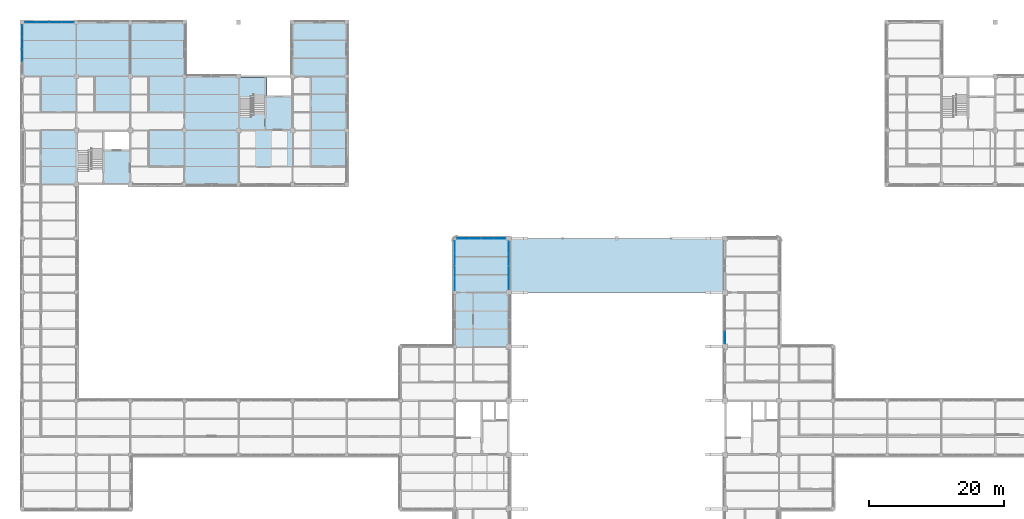
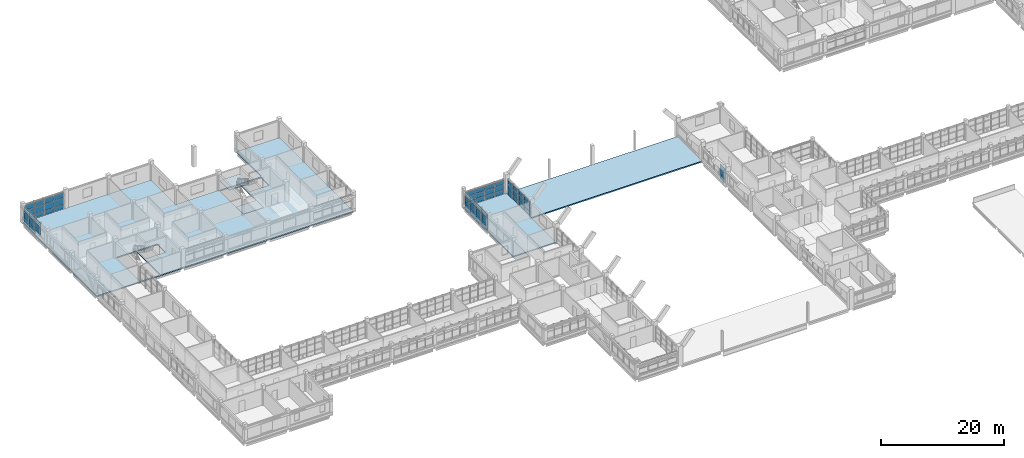
# One storey, part 55 of 92: 59 plates, 5 slabs, 7 elements without a shape of their own.
"""IFC4 building model written with IfcOpenShell, lengths in metres."""

from ifc_helpers import new_model, si_unit, derived_unit, direction, frame, origin, origin_2d, place, context, subcontext, project, spatial, polyline, rectangle, outline, extrude, material, layer, layer_set, type_object, element, aggregate, save


model = new_model("IFC4")

# Units and contexts
model_context = context("Model", 3, precision=1e-05, world=origin(), true_north=direction((0.0, 1.0)))
body_context = subcontext(model_context, "Body", "Model", "MODEL_VIEW")
ifc_project = project(units=[si_unit("LENGTHUNIT", "METRE"), si_unit("AREAUNIT", "SQUARE_METRE"), si_unit("VOLUMEUNIT", "CUBIC_METRE"), si_unit("PLANEANGLEUNIT", "RADIAN"), si_unit("MASSUNIT", "GRAM", prefix="KILO"), derived_unit("THERMALTRANSMITTANCEUNIT", [(si_unit("MASSUNIT", "GRAM", prefix="KILO"), 1), (si_unit("TIMEUNIT", "SECOND"), -3), (si_unit("THERMODYNAMICTEMPERATUREUNIT", "KELVIN"), -1)])], contexts=[model_context])

# Site, building, storey
site_placement = place(None, origin())
site = spatial("IfcSite", under=ifc_project, at=site_placement, CompositionType="ELEMENT")
building_placement = place(site_placement, origin())
building = spatial("IfcBuilding", under=site, at=building_placement, Name="Veyamyaing Civic Hall", CompositionType="ELEMENT")
storey_placement = place(building_placement, frame((0.0, 0.0, 17.820068359375)))
storey = spatial("IfcBuildingStorey", under=building, at=storey_placement, Name="L04", CompositionType="ELEMENT", Elevation=17.820068359375)

# Curtain wall, plates
ifc_material_1 = material(Name="Anodised aluminium 6063-T6", Category="aluminium")
ifc_layer_1 = layer(ifc_material_1, 0.159912109375, Name="Anodised aluminium 6063-T6")
ifc_layer_set_1 = layer_set([ifc_layer_1], Name="Anodised aluminium 6063-T6")
curtain_wall_type = type_object("IfcCurtainWallType", Name="CW-08", PredefinedType="NOTDEFINED", material=ifc_layer_set_1)
curtain_wall_1_placement = place(storey_placement, origin())
curtain_wall_1 = element("IfcCurtainWall", 1, at=curtain_wall_1_placement, inside=storey, type_object=curtain_wall_type, Name="Unitized curtain wall CW-08 L04 N 1.14", PredefinedType="NOTDEFINED")
ifc_material_2 = material(Name="Low-E insulated glass", Category="glass")
ifc_layer_2 = layer(ifc_material_2, 0.028076171875, Name="Low-E insulated glass")
ifc_layer_set_2 = layer_set([ifc_layer_2], Name="Low-E insulated glass")
plate_type_1 = type_object("IfcPlateType", Name="CWP-01", PredefinedType="CURTAIN_PANEL", material=ifc_layer_set_2)
plate_1_placement = place(storey_placement, frame((1.282470703125, 112.0, 0.06494140625), z_axis=(0.0, 0.0, 1.0), x_axis=(1.0, 0.0, 0.0)))
plate_1 = element("IfcPlate", 2, at=plate_1_placement, type_object=plate_type_1, Name="CW-08 panel 1.1", PredefinedType="CURTAIN_PANEL", context=body_context, shape_type="SweptSolid", body=[
    extrude(rectangle(XDim=1.72509765625, YDim=0.028076171875, at=origin_2d()), origin(), (0.0, 0.0, 1.0), 0.802490234375),
])
plate_2_placement = place(storey_placement, frame((1.282470703125, 112.0, 0.932373046875), z_axis=(0.0, 0.0, 1.0), x_axis=(1.0, 0.0, 0.0)))
plate_2 = element("IfcPlate", 3, at=plate_2_placement, type_object=plate_type_1, Name="CW-08 panel 1.2", PredefinedType="CURTAIN_PANEL", context=body_context, shape_type="SweptSolid", body=[
    extrude(rectangle(XDim=1.72509765625, YDim=0.028076171875, at=origin_2d()), origin(), (0.0, 0.0, 1.0), 1.28857421875),
])
plate_3_placement = place(storey_placement, frame((1.282470703125, 112.0, 2.285888671875), z_axis=(0.0, 0.0, 1.0), x_axis=(1.0, 0.0, 0.0)))
plate_3 = element("IfcPlate", 4, at=plate_3_placement, type_object=plate_type_1, Name="CW-08 panel 1.3", PredefinedType="CURTAIN_PANEL", context=body_context, shape_type="SweptSolid", body=[
    extrude(rectangle(XDim=1.72509765625, YDim=0.028076171875, at=origin_2d()), origin(), (0.0, 0.0, 1.0), 0.962890625),
])
plate_4_placement = place(storey_placement, frame((3.0888671875, 112.0, 0.06494140625), z_axis=(0.0, 0.0, 1.0), x_axis=(1.0, 0.0, 0.0)))
plate_4 = element("IfcPlate", 5, at=plate_4_placement, type_object=plate_type_1, Name="CW-08 panel 2.1", PredefinedType="CURTAIN_PANEL", context=body_context, shape_type="SweptSolid", body=[
    extrude(rectangle(XDim=1.757568359375, YDim=0.028076171875, at=origin_2d()), origin(), (0.0, 0.0, 1.0), 0.802490234375),
])
plate_5_placement = place(storey_placement, frame((3.0888671875, 112.0, 0.932373046875), z_axis=(0.0, 0.0, 1.0), x_axis=(1.0, 0.0, 0.0)))
plate_5 = element("IfcPlate", 6, at=plate_5_placement, type_object=plate_type_1, Name="CW-08 panel 2.2", PredefinedType="CURTAIN_PANEL", context=body_context, shape_type="SweptSolid", body=[
    extrude(rectangle(XDim=1.757568359375, YDim=0.028076171875, at=origin_2d()), origin(), (0.0, 0.0, 1.0), 1.28857421875),
])
plate_6_placement = place(storey_placement, frame((3.0888671875, 112.0, 2.285888671875), z_axis=(0.0, 0.0, 1.0), x_axis=(1.0, 0.0, 0.0)))
plate_6 = element("IfcPlate", 7, at=plate_6_placement, type_object=plate_type_1, Name="CW-08 panel 2.3", PredefinedType="CURTAIN_PANEL", context=body_context, shape_type="SweptSolid", body=[
    extrude(rectangle(XDim=1.757568359375, YDim=0.028076171875, at=origin_2d()), origin(), (0.0, 0.0, 1.0), 0.962890625),
])
plate_7_placement = place(storey_placement, frame((4.9111328125, 112.0, 0.06494140625), z_axis=(0.0, 0.0, 1.0), x_axis=(1.0, 0.0, 0.0)))
plate_7 = element("IfcPlate", 8, at=plate_7_placement, type_object=plate_type_1, Name="CW-08 panel 3.1", PredefinedType="CURTAIN_PANEL", context=body_context, shape_type="SweptSolid", body=[
    extrude(rectangle(XDim=1.757568359375, YDim=0.028076171875, at=origin_2d()), origin(), (0.0, 0.0, 1.0), 0.802490234375),
])
plate_8_placement = place(storey_placement, frame((4.9111328125, 112.0, 0.932373046875), z_axis=(0.0, 0.0, 1.0), x_axis=(1.0, 0.0, 0.0)))
plate_8 = element("IfcPlate", 9, at=plate_8_placement, type_object=plate_type_1, Name="CW-08 panel 3.2", PredefinedType="CURTAIN_PANEL", context=body_context, shape_type="SweptSolid", body=[
    extrude(rectangle(XDim=1.757568359375, YDim=0.028076171875, at=origin_2d()), origin(), (0.0, 0.0, 1.0), 1.28857421875),
])
plate_9_placement = place(storey_placement, frame((4.9111328125, 112.0, 2.285888671875), z_axis=(0.0, 0.0, 1.0), x_axis=(1.0, 0.0, 0.0)))
plate_9 = element("IfcPlate", 10, at=plate_9_placement, type_object=plate_type_1, Name="CW-08 panel 3.3", PredefinedType="CURTAIN_PANEL", context=body_context, shape_type="SweptSolid", body=[
    extrude(rectangle(XDim=1.757568359375, YDim=0.028076171875, at=origin_2d()), origin(), (0.0, 0.0, 1.0), 0.962890625),
])
plate_10_placement = place(storey_placement, frame((6.717529296875, 112.0, 0.06494140625), z_axis=(0.0, 0.0, 1.0), x_axis=(1.0, 0.0, 0.0)))
plate_10 = element("IfcPlate", 11, at=plate_10_placement, type_object=plate_type_1, Name="CW-08 panel 4.1", PredefinedType="CURTAIN_PANEL", context=body_context, shape_type="SweptSolid", body=[
    extrude(rectangle(XDim=1.72509765625, YDim=0.028076171875, at=origin_2d()), origin(), (0.0, 0.0, 1.0), 0.802490234375),
])
plate_11_placement = place(storey_placement, frame((6.717529296875, 112.0, 0.932373046875), z_axis=(0.0, 0.0, 1.0), x_axis=(1.0, 0.0, 0.0)))
plate_11 = element("IfcPlate", 12, at=plate_11_placement, type_object=plate_type_1, Name="CW-08 panel 4.2", PredefinedType="CURTAIN_PANEL", context=body_context, shape_type="SweptSolid", body=[
    extrude(rectangle(XDim=1.72509765625, YDim=0.028076171875, at=origin_2d()), origin(), (0.0, 0.0, 1.0), 1.28857421875),
])
plate_12_placement = place(storey_placement, frame((6.717529296875, 112.0, 2.285888671875), z_axis=(0.0, 0.0, 1.0), x_axis=(1.0, 0.0, 0.0)))
plate_12 = element("IfcPlate", 13, at=plate_12_placement, type_object=plate_type_1, Name="CW-08 panel 4.3", PredefinedType="CURTAIN_PANEL", context=body_context, shape_type="SweptSolid", body=[
    extrude(rectangle(XDim=1.72509765625, YDim=0.028076171875, at=origin_2d()), origin(), (0.0, 0.0, 1.0), 0.962890625),
])
aggregate(curtain_wall_1, [plate_1, plate_2, plate_3, plate_4, plate_5, plate_6, plate_7, plate_8, plate_9, plate_10, plate_11, plate_12])

curtain_wall_2_placement = place(storey_placement, origin())
curtain_wall_2 = element("IfcCurtainWall", 14, at=curtain_wall_2_placement, inside=storey, type_object=curtain_wall_type, Name="Unitized curtain wall CW-08 L04 W 1.14", PredefinedType="NOTDEFINED")
plate_13_placement = place(storey_placement, frame((0.0, 107.0888671875, 0.9326171875), z_axis=(0.0, 0.0, 1.0), x_axis=(0.0, 1.0, 0.0)))
plate_13 = element("IfcPlate", 15, at=plate_13_placement, type_object=plate_type_1, Name="CW-08 panel 2.2", PredefinedType="CURTAIN_PANEL", context=body_context, shape_type="SweptSolid", body=[
    extrude(rectangle(XDim=1.757568359375, YDim=0.028076171875, at=origin_2d()), origin(), (0.0, 0.0, 1.0), 1.329345703125),
])
plate_14_placement = place(storey_placement, frame((0.0, 107.0888671875, 2.32666015625), z_axis=(0.0, 0.0, 1.0), x_axis=(0.0, 1.0, 0.0)))
plate_14 = element("IfcPlate", 16, at=plate_14_placement, type_object=plate_type_1, Name="CW-08 panel 2.3", PredefinedType="CURTAIN_PANEL", context=body_context, shape_type="SweptSolid", body=[
    extrude(rectangle(XDim=1.757568359375, YDim=0.028076171875, at=origin_2d()), origin(), (0.0, 0.0, 1.0), 0.982177734375),
])
plate_15_placement = place(storey_placement, frame((0.0, 108.9111328125, 0.06494140625), z_axis=(0.0, 0.0, 1.0), x_axis=(0.0, 1.0, 0.0)))
plate_15 = element("IfcPlate", 17, at=plate_15_placement, type_object=plate_type_1, Name="CW-08 panel 3.1", PredefinedType="CURTAIN_PANEL", context=body_context, shape_type="SweptSolid", body=[
    extrude(rectangle(XDim=1.757568359375, YDim=0.028076171875, at=origin_2d()), origin(), (0.0, 0.0, 1.0), 0.802490234375),
])
plate_16_placement = place(storey_placement, frame((0.0, 108.9111328125, 0.9326171875), z_axis=(0.0, 0.0, 1.0), x_axis=(0.0, 1.0, 0.0)))
plate_16 = element("IfcPlate", 18, at=plate_16_placement, type_object=plate_type_1, Name="CW-08 panel 3.2", PredefinedType="CURTAIN_PANEL", context=body_context, shape_type="SweptSolid", body=[
    extrude(rectangle(XDim=1.757568359375, YDim=0.028076171875, at=origin_2d()), origin(), (0.0, 0.0, 1.0), 1.329345703125),
])
plate_17_placement = place(storey_placement, frame((0.0, 108.9111328125, 2.32666015625), z_axis=(0.0, 0.0, 1.0), x_axis=(0.0, 1.0, 0.0)))
plate_17 = element("IfcPlate", 19, at=plate_17_placement, type_object=plate_type_1, Name="CW-08 panel 3.3", PredefinedType="CURTAIN_PANEL", context=body_context, shape_type="SweptSolid", body=[
    extrude(rectangle(XDim=1.757568359375, YDim=0.028076171875, at=origin_2d()), origin(), (0.0, 0.0, 1.0), 0.982177734375),
])
plate_18_placement = place(storey_placement, frame((0.0, 110.717529296875, 0.06494140625), z_axis=(0.0, 0.0, 1.0), x_axis=(0.0, 1.0, 0.0)))
plate_18 = element("IfcPlate", 20, at=plate_18_placement, type_object=plate_type_1, Name="CW-08 panel 4.1", PredefinedType="CURTAIN_PANEL", context=body_context, shape_type="SweptSolid", body=[
    extrude(rectangle(XDim=1.72509765625, YDim=0.028076171875, at=origin_2d()), origin(), (0.0, 0.0, 1.0), 0.802490234375),
])
plate_19_placement = place(storey_placement, frame((0.0, 110.717529296875, 0.9326171875), z_axis=(0.0, 0.0, 1.0), x_axis=(0.0, 1.0, 0.0)))
plate_19 = element("IfcPlate", 21, at=plate_19_placement, type_object=plate_type_1, Name="CW-08 panel 4.2", PredefinedType="CURTAIN_PANEL", context=body_context, shape_type="SweptSolid", body=[
    extrude(rectangle(XDim=1.72509765625, YDim=0.028076171875, at=origin_2d()), origin(), (0.0, 0.0, 1.0), 1.329345703125),
])
plate_20_placement = place(storey_placement, frame((0.0, 110.717529296875, 2.32666015625), z_axis=(0.0, 0.0, 1.0), x_axis=(0.0, 1.0, 0.0)))
plate_20 = element("IfcPlate", 22, at=plate_20_placement, type_object=plate_type_1, Name="CW-08 panel 4.3", PredefinedType="CURTAIN_PANEL", context=body_context, shape_type="SweptSolid", body=[
    extrude(rectangle(XDim=1.72509765625, YDim=0.028076171875, at=origin_2d()), origin(), (0.0, 0.0, 1.0), 0.982177734375),
])
aggregate(curtain_wall_2, [plate_13, plate_14, plate_15, plate_16, plate_17, plate_18, plate_19, plate_20])

curtain_wall_3_placement = place(storey_placement, origin())
curtain_wall_3 = element("IfcCurtainWall", 23, at=curtain_wall_3_placement, inside=storey, type_object=curtain_wall_type, Name="Unitized curtain wall CW-08 L04 W 14.9", PredefinedType="NOTDEFINED")
ifc_layer_3 = layer(ifc_material_2, 0.035888671875, Name="Low-E insulated glass")
ifc_layer_set_3 = layer_set([ifc_layer_3], Name="Low-E insulated glass")
plate_type_2 = type_object("IfcPlateType", Name="CWP-03", PredefinedType="CURTAIN_PANEL", material=ifc_layer_set_3)
plate_21_placement = place(storey_placement, frame((104.0, 65.3388671875, 0.06494140625), z_axis=(0.0, 0.0, 1.0), x_axis=(0.0, 1.0, 0.0)))
plate_21 = element("IfcPlate", 24, at=plate_21_placement, type_object=plate_type_2, Name="CW-08 panel 1.1", PredefinedType="CURTAIN_PANEL", context=body_context, shape_type="SweptSolid", body=[
    extrude(rectangle(XDim=1.6875, YDim=0.035888671875, at=origin_2d()), origin(), (0.0, 0.0, 1.0), 0.802490234375),
])
plate_22_placement = place(storey_placement, frame((104.0, 65.3388671875, 0.9326171875), z_axis=(0.0, 0.0, 1.0), x_axis=(0.0, 1.0, 0.0)))
plate_22 = element("IfcPlate", 25, at=plate_22_placement, type_object=plate_type_2, Name="CW-08 panel 1.2", PredefinedType="CURTAIN_PANEL", context=body_context, shape_type="SweptSolid", body=[
    extrude(rectangle(XDim=1.6875, YDim=0.035888671875, at=origin_2d()), origin(), (0.0, 0.0, 1.0), 1.076416015625),
])
plate_23_placement = place(storey_placement, frame((104.0, 65.3388671875, 2.07373046875), z_axis=(0.0, 0.0, 1.0), x_axis=(0.0, 1.0, 0.0)))
plate_23 = element("IfcPlate", 26, at=plate_23_placement, type_object=plate_type_2, Name="CW-08 panel 1.3", PredefinedType="CURTAIN_PANEL", context=body_context, shape_type="SweptSolid", body=[
    extrude(rectangle(XDim=1.6875, YDim=0.035888671875, at=origin_2d()), origin(), (0.0, 0.0, 1.0), 0.863037109375),
])
aggregate(curtain_wall_3, [plate_21, plate_22, plate_23])

curtain_wall_4_placement = place(storey_placement, origin())
curtain_wall_4 = element("IfcCurtainWall", 27, at=curtain_wall_4_placement, inside=storey, type_object=curtain_wall_type, Name="Unitized curtain wall CW-08 L04 N 9.10", PredefinedType="NOTDEFINED")
ifc_layer_4 = layer(ifc_material_2, 0.0400390625, Name="Low-E insulated glass")
ifc_layer_set_4 = layer_set([ifc_layer_4], Name="Low-E insulated glass")
plate_type_3 = type_object("IfcPlateType", Name="CWP-05", PredefinedType="CURTAIN_PANEL", material=ifc_layer_set_4)
plate_24_placement = place(storey_placement, frame((65.2294921875, 80.0, 0.06494140625), z_axis=(0.0, 0.0, 1.0), x_axis=(1.0, 0.0, 0.0)))
plate_24 = element("IfcPlate", 28, at=plate_24_placement, type_object=plate_type_3, Name="CW-08 panel 1.1", PredefinedType="CURTAIN_PANEL", context=body_context, shape_type="SweptSolid", body=[
    extrude(rectangle(XDim=1.71875, YDim=0.0400390625, at=origin_2d()), origin(), (0.0, 0.0, 1.0), 0.802490234375),
])
plate_25_placement = place(storey_placement, frame((65.2294921875, 80.0, 0.932373046875), z_axis=(0.0, 0.0, 1.0), x_axis=(1.0, 0.0, 0.0)))
plate_25 = element("IfcPlate", 29, at=plate_25_placement, type_object=plate_type_3, Name="CW-08 panel 1.2", PredefinedType="CURTAIN_PANEL", context=body_context, shape_type="SweptSolid", body=[
    extrude(rectangle(XDim=1.71875, YDim=0.0400390625, at=origin_2d()), origin(), (0.0, 0.0, 1.0), 0.95068359375),
])
plate_26_placement = place(storey_placement, frame((65.2294921875, 80.0, 1.9482421875), z_axis=(0.0, 0.0, 1.0), x_axis=(1.0, 0.0, 0.0)))
plate_26 = element("IfcPlate", 30, at=plate_26_placement, type_object=plate_type_3, Name="CW-08 panel 1.3", PredefinedType="CURTAIN_PANEL", context=body_context, shape_type="SweptSolid", body=[
    extrude(rectangle(XDim=1.71875, YDim=0.0400390625, at=origin_2d()), origin(), (0.0, 0.0, 1.0), 0.803955078125),
])
plate_27_placement = place(storey_placement, frame((67.029296875, 80.0, 0.06494140625), z_axis=(0.0, 0.0, 1.0), x_axis=(1.0, 0.0, 0.0)))
plate_27 = element("IfcPlate", 31, at=plate_27_placement, type_object=plate_type_3, Name="CW-08 panel 2.1", PredefinedType="CURTAIN_PANEL", context=body_context, shape_type="SweptSolid", body=[
    extrude(rectangle(XDim=1.751220703125, YDim=0.0400390625, at=origin_2d()), origin(), (0.0, 0.0, 1.0), 0.802490234375),
])
plate_28_placement = place(storey_placement, frame((67.029296875, 80.0, 0.932373046875), z_axis=(0.0, 0.0, 1.0), x_axis=(1.0, 0.0, 0.0)))
plate_28 = element("IfcPlate", 32, at=plate_28_placement, type_object=plate_type_3, Name="CW-08 panel 2.2", PredefinedType="CURTAIN_PANEL", context=body_context, shape_type="SweptSolid", body=[
    extrude(rectangle(XDim=1.751220703125, YDim=0.0400390625, at=origin_2d()), origin(), (0.0, 0.0, 1.0), 0.95068359375),
])
plate_29_placement = place(storey_placement, frame((67.029296875, 80.0, 1.9482421875), z_axis=(0.0, 0.0, 1.0), x_axis=(1.0, 0.0, 0.0)))
plate_29 = element("IfcPlate", 33, at=plate_29_placement, type_object=plate_type_3, Name="CW-08 panel 2.3", PredefinedType="CURTAIN_PANEL", context=body_context, shape_type="SweptSolid", body=[
    extrude(rectangle(XDim=1.751220703125, YDim=0.0400390625, at=origin_2d()), origin(), (0.0, 0.0, 1.0), 0.803955078125),
])
plate_30_placement = place(storey_placement, frame((68.845703125, 80.0, 0.06494140625), z_axis=(0.0, 0.0, 1.0), x_axis=(1.0, 0.0, 0.0)))
plate_30 = element("IfcPlate", 34, at=plate_30_placement, type_object=plate_type_3, Name="CW-08 panel 3.1", PredefinedType="CURTAIN_PANEL", context=body_context, shape_type="SweptSolid", body=[
    extrude(rectangle(XDim=1.751220703125, YDim=0.0400390625, at=origin_2d()), origin(), (0.0, 0.0, 1.0), 0.802490234375),
])
plate_31_placement = place(storey_placement, frame((68.845703125, 80.0, 0.932373046875), z_axis=(0.0, 0.0, 1.0), x_axis=(1.0, 0.0, 0.0)))
plate_31 = element("IfcPlate", 35, at=plate_31_placement, type_object=plate_type_3, Name="CW-08 panel 3.2", PredefinedType="CURTAIN_PANEL", context=body_context, shape_type="SweptSolid", body=[
    extrude(rectangle(XDim=1.751220703125, YDim=0.0400390625, at=origin_2d()), origin(), (0.0, 0.0, 1.0), 0.95068359375),
])
plate_32_placement = place(storey_placement, frame((68.845703125, 80.0, 1.9482421875), z_axis=(0.0, 0.0, 1.0), x_axis=(1.0, 0.0, 0.0)))
plate_32 = element("IfcPlate", 36, at=plate_32_placement, type_object=plate_type_3, Name="CW-08 panel 3.3", PredefinedType="CURTAIN_PANEL", context=body_context, shape_type="SweptSolid", body=[
    extrude(rectangle(XDim=1.751220703125, YDim=0.0400390625, at=origin_2d()), origin(), (0.0, 0.0, 1.0), 0.803955078125),
])
plate_33_placement = place(storey_placement, frame((70.6455078125, 80.0, 0.06494140625), z_axis=(0.0, 0.0, 1.0), x_axis=(1.0, 0.0, 0.0)))
plate_33 = element("IfcPlate", 37, at=plate_33_placement, type_object=plate_type_3, Name="CW-08 panel 4.1", PredefinedType="CURTAIN_PANEL", context=body_context, shape_type="SweptSolid", body=[
    extrude(rectangle(XDim=1.71875, YDim=0.0400390625, at=origin_2d()), origin(), (0.0, 0.0, 1.0), 0.802490234375),
])
plate_34_placement = place(storey_placement, frame((70.6455078125, 80.0, 0.932373046875), z_axis=(0.0, 0.0, 1.0), x_axis=(1.0, 0.0, 0.0)))
plate_34 = element("IfcPlate", 38, at=plate_34_placement, type_object=plate_type_3, Name="CW-08 panel 4.2", PredefinedType="CURTAIN_PANEL", context=body_context, shape_type="SweptSolid", body=[
    extrude(rectangle(XDim=1.71875, YDim=0.0400390625, at=origin_2d()), origin(), (0.0, 0.0, 1.0), 0.95068359375),
])
plate_35_placement = place(storey_placement, frame((70.6455078125, 80.0, 1.9482421875), z_axis=(0.0, 0.0, 1.0), x_axis=(1.0, 0.0, 0.0)))
plate_35 = element("IfcPlate", 39, at=plate_35_placement, type_object=plate_type_3, Name="CW-08 panel 4.3", PredefinedType="CURTAIN_PANEL", context=body_context, shape_type="SweptSolid", body=[
    extrude(rectangle(XDim=1.71875, YDim=0.0400390625, at=origin_2d()), origin(), (0.0, 0.0, 1.0), 0.803955078125),
])
aggregate(curtain_wall_4, [plate_24, plate_25, plate_26, plate_27, plate_28, plate_29, plate_30, plate_31, plate_32, plate_33, plate_34, plate_35])

curtain_wall_5_placement = place(storey_placement, origin())
curtain_wall_5 = element("IfcCurtainWall", 40, at=curtain_wall_5_placement, inside=storey, type_object=curtain_wall_type, Name="Unitized curtain wall CW-08 L04 W 9.10", PredefinedType="NOTDEFINED")
plate_36_placement = place(storey_placement, frame((64.0, 73.2451171875, 0.06494140625), z_axis=(0.0, 0.0, 1.0), x_axis=(0.0, 1.0, 0.0)))
plate_36 = element("IfcPlate", 41, at=plate_36_placement, type_object=plate_type_3, Name="CW-08 panel 1.1", PredefinedType="CURTAIN_PANEL", context=body_context, shape_type="SweptSolid", body=[
    extrude(rectangle(XDim=1.75, YDim=0.0400390625, at=origin_2d()), origin(), (0.0, 0.0, 1.0), 0.802490234375),
])
plate_37_placement = place(storey_placement, frame((64.0, 73.2451171875, 0.9326171875), z_axis=(0.0, 0.0, 1.0), x_axis=(0.0, 1.0, 0.0)))
plate_37 = element("IfcPlate", 42, at=plate_37_placement, type_object=plate_type_3, Name="CW-08 panel 1.2", PredefinedType="CURTAIN_PANEL", context=body_context, shape_type="SweptSolid", body=[
    extrude(rectangle(XDim=1.75, YDim=0.0400390625, at=origin_2d()), origin(), (0.0, 0.0, 1.0), 1.312255859375),
])
plate_38_placement = place(storey_placement, frame((64.0, 73.2451171875, 2.309814453125), z_axis=(0.0, 0.0, 1.0), x_axis=(0.0, 1.0, 0.0)))
plate_38 = element("IfcPlate", 43, at=plate_38_placement, type_object=plate_type_3, Name="CW-08 panel 1.3", PredefinedType="CURTAIN_PANEL", context=body_context, shape_type="SweptSolid", body=[
    extrude(rectangle(XDim=1.75, YDim=0.0400390625, at=origin_2d()), origin(), (0.0, 0.0, 1.0), 0.97412109375),
])
plate_39_placement = place(storey_placement, frame((64.0, 75.076171875, 0.06494140625), z_axis=(0.0, 0.0, 1.0), x_axis=(0.0, 1.0, 0.0)))
plate_39 = element("IfcPlate", 44, at=plate_39_placement, type_object=plate_type_3, Name="CW-08 panel 2.1", PredefinedType="CURTAIN_PANEL", context=body_context, shape_type="SweptSolid", body=[
    extrude(rectangle(XDim=1.782470703125, YDim=0.0400390625, at=origin_2d()), origin(), (0.0, 0.0, 1.0), 0.802490234375),
])
plate_40_placement = place(storey_placement, frame((64.0, 75.076171875, 0.9326171875), z_axis=(0.0, 0.0, 1.0), x_axis=(0.0, 1.0, 0.0)))
plate_40 = element("IfcPlate", 45, at=plate_40_placement, type_object=plate_type_3, Name="CW-08 panel 2.2", PredefinedType="CURTAIN_PANEL", context=body_context, shape_type="SweptSolid", body=[
    extrude(rectangle(XDim=1.782470703125, YDim=0.0400390625, at=origin_2d()), origin(), (0.0, 0.0, 1.0), 1.312255859375),
])
plate_41_placement = place(storey_placement, frame((64.0, 75.076171875, 2.309814453125), z_axis=(0.0, 0.0, 1.0), x_axis=(0.0, 1.0, 0.0)))
plate_41 = element("IfcPlate", 46, at=plate_41_placement, type_object=plate_type_3, Name="CW-08 panel 2.3", PredefinedType="CURTAIN_PANEL", context=body_context, shape_type="SweptSolid", body=[
    extrude(rectangle(XDim=1.782470703125, YDim=0.0400390625, at=origin_2d()), origin(), (0.0, 0.0, 1.0), 0.97412109375),
])
plate_42_placement = place(storey_placement, frame((64.0, 76.923828125, 0.06494140625), z_axis=(0.0, 0.0, 1.0), x_axis=(0.0, 1.0, 0.0)))
plate_42 = element("IfcPlate", 47, at=plate_42_placement, type_object=plate_type_3, Name="CW-08 panel 3.1", PredefinedType="CURTAIN_PANEL", context=body_context, shape_type="SweptSolid", body=[
    extrude(rectangle(XDim=1.782470703125, YDim=0.0400390625, at=origin_2d()), origin(), (0.0, 0.0, 1.0), 0.802490234375),
])
plate_43_placement = place(storey_placement, frame((64.0, 76.923828125, 0.9326171875), z_axis=(0.0, 0.0, 1.0), x_axis=(0.0, 1.0, 0.0)))
plate_43 = element("IfcPlate", 48, at=plate_43_placement, type_object=plate_type_3, Name="CW-08 panel 3.2", PredefinedType="CURTAIN_PANEL", context=body_context, shape_type="SweptSolid", body=[
    extrude(rectangle(XDim=1.782470703125, YDim=0.0400390625, at=origin_2d()), origin(), (0.0, 0.0, 1.0), 1.312255859375),
])
plate_44_placement = place(storey_placement, frame((64.0, 76.923828125, 2.309814453125), z_axis=(0.0, 0.0, 1.0), x_axis=(0.0, 1.0, 0.0)))
plate_44 = element("IfcPlate", 49, at=plate_44_placement, type_object=plate_type_3, Name="CW-08 panel 3.3", PredefinedType="CURTAIN_PANEL", context=body_context, shape_type="SweptSolid", body=[
    extrude(rectangle(XDim=1.782470703125, YDim=0.0400390625, at=origin_2d()), origin(), (0.0, 0.0, 1.0), 0.97412109375),
])
plate_45_placement = place(storey_placement, frame((64.0, 78.7548828125, 0.06494140625), z_axis=(0.0, 0.0, 1.0), x_axis=(0.0, 1.0, 0.0)))
plate_45 = element("IfcPlate", 50, at=plate_45_placement, type_object=plate_type_3, Name="CW-08 panel 4.1", PredefinedType="CURTAIN_PANEL", context=body_context, shape_type="SweptSolid", body=[
    extrude(rectangle(XDim=1.75, YDim=0.0400390625, at=origin_2d()), origin(), (0.0, 0.0, 1.0), 0.802490234375),
])
plate_46_placement = place(storey_placement, frame((64.0, 78.7548828125, 0.9326171875), z_axis=(0.0, 0.0, 1.0), x_axis=(0.0, 1.0, 0.0)))
plate_46 = element("IfcPlate", 51, at=plate_46_placement, type_object=plate_type_3, Name="CW-08 panel 4.2", PredefinedType="CURTAIN_PANEL", context=body_context, shape_type="SweptSolid", body=[
    extrude(rectangle(XDim=1.75, YDim=0.0400390625, at=origin_2d()), origin(), (0.0, 0.0, 1.0), 1.312255859375),
])
plate_47_placement = place(storey_placement, frame((64.0, 78.7548828125, 2.309814453125), z_axis=(0.0, 0.0, 1.0), x_axis=(0.0, 1.0, 0.0)))
plate_47 = element("IfcPlate", 52, at=plate_47_placement, type_object=plate_type_3, Name="CW-08 panel 4.3", PredefinedType="CURTAIN_PANEL", context=body_context, shape_type="SweptSolid", body=[
    extrude(rectangle(XDim=1.75, YDim=0.0400390625, at=origin_2d()), origin(), (0.0, 0.0, 1.0), 0.97412109375),
])
aggregate(curtain_wall_5, [plate_36, plate_37, plate_38, plate_39, plate_40, plate_41, plate_42, plate_43, plate_44, plate_45, plate_46, plate_47])

curtain_wall_6_placement = place(storey_placement, origin())
curtain_wall_6 = element("IfcCurtainWall", 53, at=curtain_wall_6_placement, inside=storey, type_object=curtain_wall_type, Name="Unitized curtain wall CW-08 L04 E 9.10", PredefinedType="NOTDEFINED")
plate_48_placement = place(storey_placement, frame((72.0, 73.3388671875, 0.06494140625), z_axis=(0.0, 0.0, 1.0), x_axis=(0.0, 1.0, 0.0)))
plate_48 = element("IfcPlate", 54, at=plate_48_placement, type_object=plate_type_3, Name="CW-08 panel 1.1", PredefinedType="CURTAIN_PANEL", context=body_context, shape_type="SweptSolid", body=[
    extrude(rectangle(XDim=1.6875, YDim=0.0400390625, at=origin_2d()), origin(), (0.0, 0.0, 1.0), 0.802490234375),
])
plate_49_placement = place(storey_placement, frame((72.0, 73.3388671875, 0.9326171875), z_axis=(0.0, 0.0, 1.0), x_axis=(0.0, 1.0, 0.0)))
plate_49 = element("IfcPlate", 55, at=plate_49_placement, type_object=plate_type_3, Name="CW-08 panel 1.2", PredefinedType="CURTAIN_PANEL", context=body_context, shape_type="SweptSolid", body=[
    extrude(rectangle(XDim=1.6875, YDim=0.0400390625, at=origin_2d()), origin(), (0.0, 0.0, 1.0), 1.076416015625),
])
plate_50_placement = place(storey_placement, frame((72.0, 73.3388671875, 2.07373046875), z_axis=(0.0, 0.0, 1.0), x_axis=(0.0, 1.0, 0.0)))
plate_50 = element("IfcPlate", 56, at=plate_50_placement, type_object=plate_type_3, Name="CW-08 panel 1.3", PredefinedType="CURTAIN_PANEL", context=body_context, shape_type="SweptSolid", body=[
    extrude(rectangle(XDim=1.6875, YDim=0.0400390625, at=origin_2d()), origin(), (0.0, 0.0, 1.0), 0.863037109375),
])
plate_51_placement = place(storey_placement, frame((72.0, 75.107421875, 0.06494140625), z_axis=(0.0, 0.0, 1.0), x_axis=(0.0, 1.0, 0.0)))
plate_51 = element("IfcPlate", 57, at=plate_51_placement, type_object=plate_type_3, Name="CW-08 panel 2.1", PredefinedType="CURTAIN_PANEL", context=body_context, shape_type="SweptSolid", body=[
    extrude(rectangle(XDim=1.719970703125, YDim=0.0400390625, at=origin_2d()), origin(), (0.0, 0.0, 1.0), 0.802490234375),
])
plate_52_placement = place(storey_placement, frame((72.0, 75.107421875, 0.9326171875), z_axis=(0.0, 0.0, 1.0), x_axis=(0.0, 1.0, 0.0)))
plate_52 = element("IfcPlate", 58, at=plate_52_placement, type_object=plate_type_3, Name="CW-08 panel 2.2", PredefinedType="CURTAIN_PANEL", context=body_context, shape_type="SweptSolid", body=[
    extrude(rectangle(XDim=1.719970703125, YDim=0.0400390625, at=origin_2d()), origin(), (0.0, 0.0, 1.0), 1.076416015625),
])
plate_53_placement = place(storey_placement, frame((72.0, 75.107421875, 2.07373046875), z_axis=(0.0, 0.0, 1.0), x_axis=(0.0, 1.0, 0.0)))
plate_53 = element("IfcPlate", 59, at=plate_53_placement, type_object=plate_type_3, Name="CW-08 panel 2.3", PredefinedType="CURTAIN_PANEL", context=body_context, shape_type="SweptSolid", body=[
    extrude(rectangle(XDim=1.719970703125, YDim=0.0400390625, at=origin_2d()), origin(), (0.0, 0.0, 1.0), 0.863037109375),
])
plate_54_placement = place(storey_placement, frame((72.0, 76.892578125, 0.06494140625), z_axis=(0.0, 0.0, 1.0), x_axis=(0.0, 1.0, 0.0)))
plate_54 = element("IfcPlate", 60, at=plate_54_placement, type_object=plate_type_3, Name="CW-08 panel 3.1", PredefinedType="CURTAIN_PANEL", context=body_context, shape_type="SweptSolid", body=[
    extrude(rectangle(XDim=1.719970703125, YDim=0.0400390625, at=origin_2d()), origin(), (0.0, 0.0, 1.0), 0.802490234375),
])
plate_55_placement = place(storey_placement, frame((72.0, 76.892578125, 0.9326171875), z_axis=(0.0, 0.0, 1.0), x_axis=(0.0, 1.0, 0.0)))
plate_55 = element("IfcPlate", 61, at=plate_55_placement, type_object=plate_type_3, Name="CW-08 panel 3.2", PredefinedType="CURTAIN_PANEL", context=body_context, shape_type="SweptSolid", body=[
    extrude(rectangle(XDim=1.719970703125, YDim=0.0400390625, at=origin_2d()), origin(), (0.0, 0.0, 1.0), 1.076416015625),
])
plate_56_placement = place(storey_placement, frame((72.0, 76.892578125, 2.07373046875), z_axis=(0.0, 0.0, 1.0), x_axis=(0.0, 1.0, 0.0)))
plate_56 = element("IfcPlate", 62, at=plate_56_placement, type_object=plate_type_3, Name="CW-08 panel 3.3", PredefinedType="CURTAIN_PANEL", context=body_context, shape_type="SweptSolid", body=[
    extrude(rectangle(XDim=1.719970703125, YDim=0.0400390625, at=origin_2d()), origin(), (0.0, 0.0, 1.0), 0.863037109375),
])
plate_57_placement = place(storey_placement, frame((72.0, 78.6611328125, 0.06494140625), z_axis=(0.0, 0.0, 1.0), x_axis=(0.0, 1.0, 0.0)))
plate_57 = element("IfcPlate", 63, at=plate_57_placement, type_object=plate_type_3, Name="CW-08 panel 4.1", PredefinedType="CURTAIN_PANEL", context=body_context, shape_type="SweptSolid", body=[
    extrude(rectangle(XDim=1.6875, YDim=0.0400390625, at=origin_2d()), origin(), (0.0, 0.0, 1.0), 0.802490234375),
])
plate_58_placement = place(storey_placement, frame((72.0, 78.6611328125, 0.9326171875), z_axis=(0.0, 0.0, 1.0), x_axis=(0.0, 1.0, 0.0)))
plate_58 = element("IfcPlate", 64, at=plate_58_placement, type_object=plate_type_3, Name="CW-08 panel 4.2", PredefinedType="CURTAIN_PANEL", context=body_context, shape_type="SweptSolid", body=[
    extrude(rectangle(XDim=1.6875, YDim=0.0400390625, at=origin_2d()), origin(), (0.0, 0.0, 1.0), 1.076416015625),
])
plate_59_placement = place(storey_placement, frame((72.0, 78.6611328125, 2.07373046875), z_axis=(0.0, 0.0, 1.0), x_axis=(0.0, 1.0, 0.0)))
plate_59 = element("IfcPlate", 65, at=plate_59_placement, type_object=plate_type_3, Name="CW-08 panel 4.3", PredefinedType="CURTAIN_PANEL", context=body_context, shape_type="SweptSolid", body=[
    extrude(rectangle(XDim=1.6875, YDim=0.0400390625, at=origin_2d()), origin(), (0.0, 0.0, 1.0), 0.863037109375),
])
aggregate(curtain_wall_6, [plate_48, plate_49, plate_50, plate_51, plate_52, plate_53, plate_54, plate_55, plate_56, plate_57, plate_58, plate_59])

# Slabs
ifc_material_3 = material(Name="Concrete C40/50", Category="concrete")
ifc_layer_5 = layer(ifc_material_3, 0.235107421875, Name="Concrete C40/50")
ifc_layer_set_5 = layer_set([ifc_layer_5], Name="Concrete C40/50")
slab_type_1 = type_object("IfcSlabType", Name="SL-06", PredefinedType="FLOOR", material=ifc_layer_set_5)
slab_1_placement = place(storey_placement, frame((0.0, 0.0, -0.235107421875)))
element("IfcSlab", 66, at=slab_1_placement, inside=storey, type_object=slab_type_1, Name="Floor slab SL-06 L04 V1N.1", PredefinedType="FLOOR", context=body_context, shape_type="SweptSolid", body=[
    extrude(outline(polyline([(64.0, 80.0), (72.0, 80.0), (72.0, 64.0), (64.0, 64.0), (64.0, 80.0)])), origin(), (0.0, 0.0, 1.0), 0.235107421875),
])
slab_2_placement = place(storey_placement, frame((0.0, 0.0, -0.235107421875)))
element("IfcSlab", 67, at=slab_2_placement, inside=storey, type_object=slab_type_1, Name="Floor slab SL-06 L04 V4NW.1", PredefinedType="FLOOR", context=body_context, shape_type="SweptSolid", body=[
    extrude(outline(polyline([(0.0, 112.0), (24.0, 112.0), (24.0, 104.0), (40.0, 104.0), (40.0, 112.0), (48.0, 112.0), (48.0, 88.0), (0.0, 88.0), (0.0, 112.0)]), holes=[polyline([(11.909912109375, 95.860107421875), (8.139892578125, 95.860107421875), (8.139892578125, 88.139892578125), (11.909912109375, 88.139892578125), (11.909912109375, 95.860107421875)]), polyline([(12.179931640625, 95.820068359375), (12.179931640625, 93.179931640625), (15.820068359375, 93.179931640625), (15.820068359375, 95.820068359375), (12.179931640625, 95.820068359375)]), polyline([(35.909912109375, 103.860107421875), (32.139892578125, 103.860107421875), (32.139892578125, 96.139892578125), (35.909912109375, 96.139892578125), (35.909912109375, 103.860107421875)]), polyline([(39.820068359375, 103.820068359375), (36.179931640625, 103.820068359375), (36.179931640625, 101.179931640625), (39.820068359375, 101.179931640625), (39.820068359375, 103.820068359375)])]), origin(), (0.0, 0.0, 1.0), 0.235107421875),
])
ifc_layer_6 = layer(ifc_material_3, 0.239990234375, Name="Concrete C40/50")
ifc_layer_set_6 = layer_set([ifc_layer_6], Name="Concrete C40/50")
slab_type_2 = type_object("IfcSlabType", Name="SL-15", PredefinedType="ROOF", material=ifc_layer_set_6)
slab_3_placement = place(storey_placement, frame((0.0, 0.0, -0.239990234375)))
element("IfcSlab", 68, at=slab_3_placement, inside=storey, type_object=slab_type_2, Name="Roof slab SL-15 L04 V1N.1", PredefinedType="ROOF", context=body_context, shape_type="SweptSolid", body=[
    extrude(outline(polyline([(72.0, 80.0), (104.0, 80.0), (104.0, 72.0), (72.0, 72.0), (72.0, 80.0)])), origin(), (0.0, 0.0, 1.0), 0.239990234375),
])
ifc_layer_7 = layer(ifc_material_3, 0.199951171875, Name="Concrete C40/50")
ifc_layer_set_7 = layer_set([ifc_layer_7], Name="Concrete C40/50")
slab_type_3 = type_object("IfcSlabType", Name="SL-16", PredefinedType="FLOOR", material=ifc_layer_set_7)
slab_4_placement = place(storey_placement, frame((0.0, 0.0, -0.199951171875)))
element("IfcSlab", 69, at=slab_4_placement, inside=storey, type_object=slab_type_3, Name="Stair floor landing slab SL-16 ST-02 L04", PredefinedType="FLOOR", context=body_context, shape_type="SweptSolid", body=[
    extrude(outline(polyline([(32.139892578125, 96.139892578125), (35.909912109375, 96.139892578125), (35.909912109375, 98.52001953125), (32.139892578125, 98.52001953125), (32.139892578125, 96.139892578125)])), origin(), (0.0, 0.0, 1.0), 0.199951171875),
])

# Stair, slab
stair_type = type_object("IfcStairType", Name="ST-D", PredefinedType="HALF_TURN_STAIR", material=ifc_material_3)
stair_placement = place(storey_placement, origin())
stair = element("IfcStair", 70, at=stair_placement, inside=storey, type_object=stair_type, Name="Protected exit stair ST-02 L04", PredefinedType="HALF_TURN_STAIR")
ifc_layer_8 = layer(ifc_material_3, 0.195068359375, Name="Concrete C40/50")
ifc_layer_set_8 = layer_set([ifc_layer_8], Name="Concrete C40/50")
slab_type_4 = type_object("IfcSlabType", Name="SL-LND", PredefinedType="LANDING", material=ifc_layer_set_8)
slab_5_placement = place(storey_placement, frame((0.0, 0.0, 1.784912109375)))
slab_5 = element("IfcSlab", 71, at=slab_5_placement, type_object=slab_type_4, Name="ST-02 landing 1", PredefinedType="LANDING", context=body_context, shape_type="SweptSolid", body=[
    extrude(outline(polyline([(32.139892578125, 100.7900390625), (35.909912109375, 100.7900390625), (35.909912109375, 103.860107421875), (32.139892578125, 103.860107421875), (32.139892578125, 100.7900390625)])), origin(), (0.0, 0.0, 1.0), 0.195068359375),
])
aggregate(stair, [slab_5])

save(model, "model.ifc")
